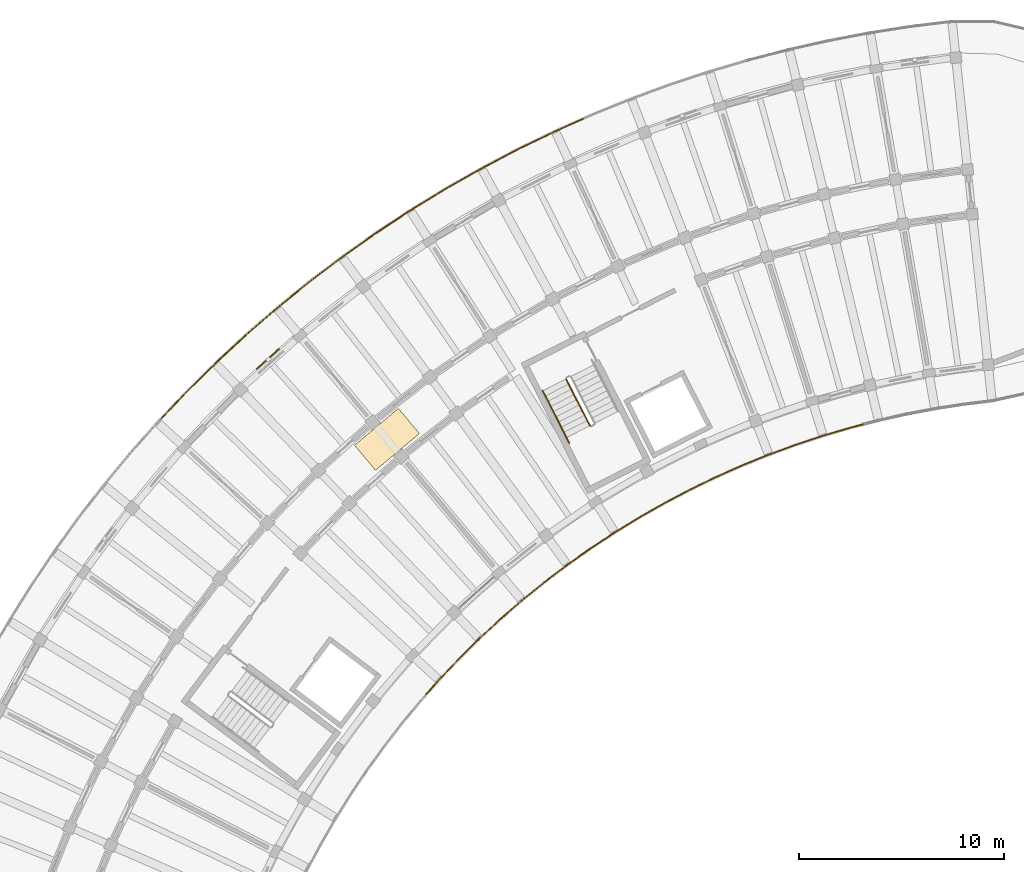
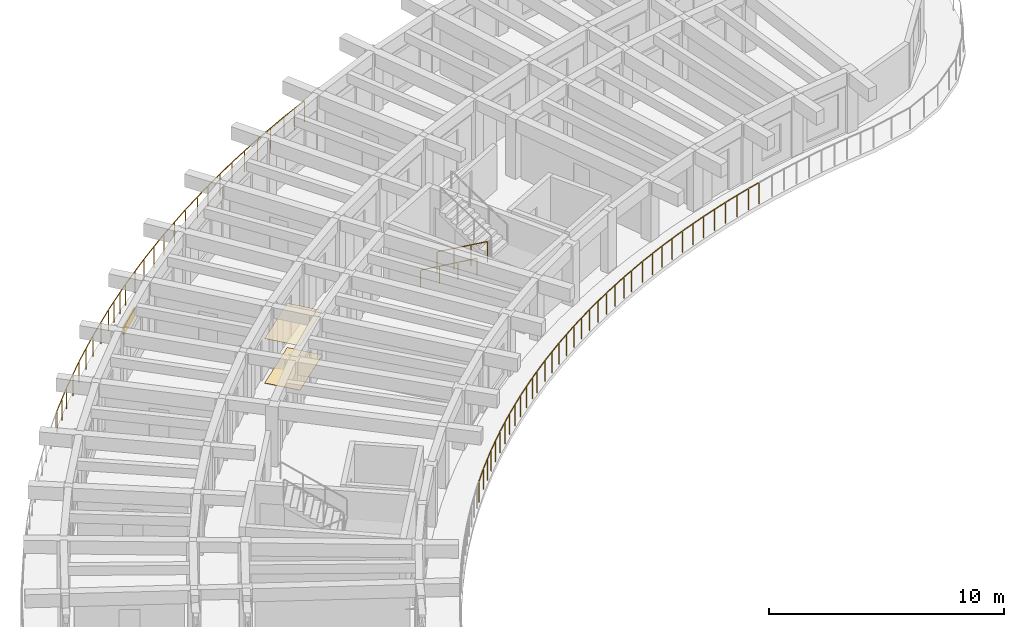
# One storey, part 58 of 69: 10 railings, 2 coverings, 1 shading device.
"""IFC4 building model written with IfcOpenShell, lengths in metres."""

from ifc_helpers import new_model, si_unit, direction, frame, origin, origin_2d, place, context, subcontext, project, spatial, rectangle, circle, extrude, material, layer, layer_set, type_object, element, save


model = new_model("IFC4")

# Units and contexts
model_context = context("Model", 3, precision=1e-05, world=origin(), true_north=direction((0.0, 1.0)))
body_context = subcontext(model_context, "Body", "Model", "MODEL_VIEW")
ifc_project = project(units=[si_unit("LENGTHUNIT", "METRE"), si_unit("AREAUNIT", "SQUARE_METRE"), si_unit("VOLUMEUNIT", "CUBIC_METRE"), si_unit("PLANEANGLEUNIT", "RADIAN"), si_unit("MASSUNIT", "GRAM", prefix="KILO")], contexts=[model_context])

# Site, building, storey
site_placement = place(None, origin())
site = spatial("IfcSite", under=ifc_project, at=site_placement, CompositionType="ELEMENT")
building_placement = place(site_placement, origin())
building = spatial("IfcBuilding", under=site, at=building_placement, Name="Tanwirah Colonnade Gardens", CompositionType="ELEMENT")
storey_placement = place(building_placement, frame((0.0, 0.0, 15.56005859375)))
storey = spatial("IfcBuildingStorey", under=building, at=storey_placement, Name="L04", CompositionType="ELEMENT", Elevation=15.56005859375)

# Railings
ifc_material_1 = material(Name="Precast concrete C40/50", Category="concrete")
railing_type_1 = type_object("IfcRailingType", Name="BAL-EXT112", PredefinedType="BALUSTRADE", material=ifc_material_1)
railing_1_placement = place(storey_placement, frame((54.236083984375, 101.494384765625, 0.0)))
element("IfcRailing", 1, at=railing_1_placement, inside=storey, type_object=railing_type_1, Name="Block A L04 Balcony Ribbon Balustrade 2", PredefinedType="BALUSTRADE", context=body_context, shape_type="SweptSolid", body=[
    extrude(circle(Radius=0.02392578125, at=origin_2d()), frame((-0.0302734375, -0.0078125, 1.09619140625), z_axis=(-0.968166647099, -0.250306499006, 0.0), x_axis=(0.250306499006, -0.968166647099, 0.0)), (0.0, 0.0, 1.0), 0.557861328125),
    extrude(circle(Radius=0.02392578125, at=origin_2d()), frame((-0.63330078125, -0.164794921875, 1.09619140625), z_axis=(-0.959362733044, -0.282175736812, 0.0), x_axis=(0.282175736812, -0.959362733044, 0.0)), (0.0, 0.0, 1.0), 1.341796875),
    extrude(circle(Radius=0.02392578125, at=origin_2d()), frame((-1.98291015625, -0.562744140625, 1.09619140625), z_axis=(-0.949531842797, -0.313670654533, 0.0), x_axis=(0.313670654533, -0.949531842797, 0.0)), (0.0, 0.0, 1.0), 1.341552734375),
    extrude(circle(Radius=0.02392578125, at=origin_2d()), frame((-3.318359375, -1.005126953125, 1.09619140625), z_axis=(-0.93868698515, -0.344770567059, 0.0), x_axis=(0.344770567059, -0.93868698515, 0.0)), (0.0, 0.0, 1.0), 1.341796875),
    extrude(circle(Radius=0.02392578125, at=origin_2d()), frame((-4.638671875, -1.4912109375, 1.09619140625), z_axis=(-0.92683738147, -0.375463005247, 0.0), x_axis=(0.375463005247, -0.92683738147, 0.0)), (0.0, 0.0, 1.0), 1.342041015625),
    extrude(circle(Radius=0.02392578125, at=origin_2d()), frame((-5.942138671875, -2.0205078125, 1.09619140625), z_axis=(-0.913997826773, -0.40571908096, 0.0), x_axis=(0.40571908096, -0.913997826773, 0.0)), (0.0, 0.0, 1.0), 1.342041015625),
    extrude(circle(Radius=0.02392578125, at=origin_2d()), frame((-7.2275390625, -2.592529296875, 1.09619140625), z_axis=(-0.900038195948, -0.435811020783, 0.0), x_axis=(0.435811020783, -0.900038195948, 0.0)), (0.0, 0.0, 1.0), 0.779541015625),
    extrude(circle(Radius=0.02099609375, at=origin_2d()), origin(), (0.0, 0.0, 1.0), 1.069091796875),
    extrude(circle(Radius=0.02099609375, at=origin_2d()), frame((-0.6005859375, -0.1552734375, 0.0)), (0.0, 0.0, 1.0), 1.069091796875),
    extrude(circle(Radius=0.02099609375, at=origin_2d()), frame((-1.27685546875, -0.35400390625, 0.0)), (0.0, 0.0, 1.0), 1.069091796875),
    extrude(circle(Radius=0.02099609375, at=origin_2d()), frame((-1.950439453125, -0.55224609375, 0.0)), (0.0, 0.0, 1.0), 1.069091796875),
    extrude(circle(Radius=0.02099609375, at=origin_2d()), frame((-2.61962890625, -0.773193359375, 0.0)), (0.0, 0.0, 1.0), 1.069091796875),
    extrude(circle(Radius=0.02099609375, at=origin_2d()), frame((-3.286376953125, -0.993408203125, 0.0)), (0.0, 0.0, 1.0), 1.069091796875),
    extrude(circle(Radius=0.02099609375, at=origin_2d()), frame((-3.9482421875, -1.236328125, 0.0)), (0.0, 0.0, 1.0), 1.069091796875),
    extrude(circle(Radius=0.02099609375, at=origin_2d()), frame((-4.607177734375, -1.478515625, 0.0)), (0.0, 0.0, 1.0), 1.069091796875),
    extrude(circle(Radius=0.02099609375, at=origin_2d()), frame((-5.260498046875, -1.7431640625, 0.0)), (0.0, 0.0, 1.0), 1.069091796875),
    extrude(circle(Radius=0.02099609375, at=origin_2d()), frame((-5.911376953125, -2.0068359375, 0.0)), (0.0, 0.0, 1.0), 1.069091796875),
    extrude(circle(Radius=0.02099609375, at=origin_2d()), frame((-6.555419921875, -2.292724609375, 0.0)), (0.0, 0.0, 1.0), 1.069091796875),
    extrude(circle(Radius=0.02099609375, at=origin_2d()), frame((-7.197265625, -2.57763671875, 0.0)), (0.0, 0.0, 1.0), 1.069091796875),
    extrude(circle(Radius=0.02099609375, at=origin_2d()), frame((-7.957275390625, -2.94580078125, 0.0)), (0.0, 0.0, 1.0), 1.069091796875),
])
railing_2_placement = place(storey_placement, frame((46.27880859375, 98.548583984375, 0.0)))
element("IfcRailing", 2, at=railing_2_placement, inside=storey, type_object=railing_type_1, Name="Block A L04 Balcony Ribbon Balustrade 3", PredefinedType="BALUSTRADE", context=body_context, shape_type="SweptSolid", body=[
    extrude(circle(Radius=0.02392578125, at=origin_2d()), frame((-0.028076171875, -0.013671875, 1.09619140625), z_axis=(-0.900252558568, -0.435368040619, 0.0), x_axis=(0.435368040619, -0.900252558568, 0.0)), (0.0, 0.0, 1.0), 0.5),
    extrude(circle(Radius=0.02392578125, at=origin_2d()), frame((-0.5361328125, -0.2607421875, 1.09619140625), z_axis=(-0.885204649416, -0.465201814972, 0.0), x_axis=(0.465201814972, -0.885204649416, 0.0)), (0.0, 0.0, 1.0), 1.341796875),
    extrude(circle(Radius=0.02392578125, at=origin_2d()), frame((-1.78125, -0.916015625, 1.09619140625), z_axis=(-0.869342839865, -0.494209496848, 0.0), x_axis=(0.494209496848, -0.869342839865, 0.0)), (0.0, 0.0, 1.0), 1.342041015625),
    extrude(circle(Radius=0.02392578125, at=origin_2d()), frame((-3.00390625, -1.6123046875, 1.09619140625), z_axis=(-0.852623736113, -0.522525372223, 0.0), x_axis=(0.522525372223, -0.852623736113, 0.0)), (0.0, 0.0, 1.0), 1.342041015625),
    extrude(circle(Radius=0.02392578125, at=origin_2d()), frame((-4.203125, -2.34814453125, 1.09619140625), z_axis=(-0.834927342507, -0.550360184547, 0.0), x_axis=(0.550360184547, -0.834927342507, 0.0)), (0.0, 0.0, 1.0), 1.341796875),
    extrude(circle(Radius=0.02392578125, at=origin_2d()), frame((-5.37744140625, -3.12353515625, 1.09619140625), z_axis=(-0.816321661452, -0.577597563226, 0.0), x_axis=(0.577597563226, -0.816321661452, 0.0)), (0.0, 0.0, 1.0), 1.341552734375),
    extrude(circle(Radius=0.02392578125, at=origin_2d()), frame((-6.525146484375, -3.936767578125, 1.09619140625), z_axis=(-0.796799330669, -0.604244012502, 0.0), x_axis=(0.604244012502, -0.796799330669, 0.0)), (0.0, 0.0, 1.0), 0.837646484375),
    extrude(circle(Radius=0.02099609375, at=origin_2d()), origin(), (0.0, 0.0, 1.0), 1.069091796875),
    extrude(circle(Radius=0.02099609375, at=origin_2d()), frame((-0.50634765625, -0.244873046875, 0.0)), (0.0, 0.0, 1.0), 1.069091796875),
    extrude(circle(Radius=0.02099609375, at=origin_2d()), frame((-1.130126953125, -0.57275390625, 0.0)), (0.0, 0.0, 1.0), 1.069091796875),
    extrude(circle(Radius=0.02099609375, at=origin_2d()), frame((-1.751708984375, -0.8994140625, 0.0)), (0.0, 0.0, 1.0), 1.069091796875),
    extrude(circle(Radius=0.02099609375, at=origin_2d()), frame((-2.36474609375, -1.24755859375, 0.0)), (0.0, 0.0, 1.0), 1.069091796875),
    extrude(circle(Radius=0.02099609375, at=origin_2d()), frame((-2.97509765625, -1.5947265625, 0.0)), (0.0, 0.0, 1.0), 1.069091796875),
    extrude(circle(Radius=0.02099609375, at=origin_2d()), frame((-3.576171875, -1.962890625, 0.0)), (0.0, 0.0, 1.0), 1.069091796875),
    extrude(circle(Radius=0.02099609375, at=origin_2d()), frame((-4.1748046875, -2.329833984375, 0.0)), (0.0, 0.0, 1.0), 1.069091796875),
    extrude(circle(Radius=0.02099609375, at=origin_2d()), frame((-4.76318359375, -2.717529296875, 0.0)), (0.0, 0.0, 1.0), 1.069091796875),
    extrude(circle(Radius=0.02099609375, at=origin_2d()), frame((-5.349609375, -3.10400390625, 0.0)), (0.0, 0.0, 1.0), 1.069091796875),
    extrude(circle(Radius=0.02099609375, at=origin_2d()), frame((-5.9248046875, -3.510986328125, 0.0)), (0.0, 0.0, 1.0), 1.069091796875),
    extrude(circle(Radius=0.02099609375, at=origin_2d()), frame((-6.498046875, -3.91650390625, 0.0)), (0.0, 0.0, 1.0), 1.069091796875),
    extrude(circle(Radius=0.02099609375, at=origin_2d()), frame((-7.217529296875, -4.4619140625, 0.0)), (0.0, 0.0, 1.0), 1.069091796875),
])
railing_3_placement = place(storey_placement, frame((39.061279296875, 94.086669921875, 0.0)))
element("IfcRailing", 3, at=railing_3_placement, inside=storey, type_object=railing_type_1, Name="Block A L04 Balcony Ribbon Balustrade 4", PredefinedType="BALUSTRADE", context=body_context, shape_type="SweptSolid", body=[
    extrude(circle(Radius=0.02392578125, at=origin_2d()), frame((-0.02490234375, -0.018798828125, 1.09619140625), z_axis=(-0.796852005176, -0.604174545845, 0.0), x_axis=(0.604174545845, -0.796852005176, 0.0)), (0.0, 0.0, 1.0), 0.44189453125),
    extrude(circle(Radius=0.02392578125, at=origin_2d()), frame((-0.427978515625, -0.325927734375, 1.09619140625), z_axis=(-0.776491375378, -0.630127879056, 0.0), x_axis=(0.630127879056, -0.776491375378, 0.0)), (0.0, 0.0, 1.0), 1.342041015625),
    extrude(circle(Radius=0.02392578125, at=origin_2d()), frame((-1.52001953125, -1.21337890625, 1.09619140625), z_axis=(-0.755402192857, -0.655261418845, 0.0), x_axis=(0.655261418845, -0.755402192857, 0.0)), (0.0, 0.0, 1.0), 1.341796875),
    extrude(circle(Radius=0.02392578125, at=origin_2d()), frame((-2.58203125, -2.135986328125, 1.09619140625), z_axis=(-0.73336899588, -0.679830799451, 0.0), x_axis=(0.679830799451, -0.73336899588, 0.0)), (0.0, 0.0, 1.0), 1.342041015625),
    extrude(circle(Radius=0.02392578125, at=origin_2d()), frame((-3.61328125, -3.09326171875, 1.09619140625), z_axis=(-0.710488556831, -0.703708754111, 0.0), x_axis=(0.703708754111, -0.710488556831, 0.0)), (0.0, 0.0, 1.0), 1.341796875),
    extrude(circle(Radius=0.02392578125, at=origin_2d()), frame((-4.612060546875, -4.084228515625, 1.09619140625), z_axis=(-0.687011382404, -0.726646654466, 0.0), x_axis=(0.726646654466, -0.687011382404, 0.0)), (0.0, 0.0, 1.0), 1.341796875),
    extrude(circle(Radius=0.02392578125, at=origin_2d()), frame((-5.577880859375, -5.107421875, 1.09619140625), z_axis=(-0.662590378068, -0.74898196967, 0.0), x_axis=(0.74898196967, -0.662590378068, 0.0)), (0.0, 0.0, 1.0), 0.8955078125),
    extrude(circle(Radius=0.02099609375, at=origin_2d()), origin(), (0.0, 0.0, 1.0), 1.069091796875),
    extrude(circle(Radius=0.02099609375, at=origin_2d()), frame((-0.40185546875, -0.3046875, 0.0)), (0.0, 0.0, 1.0), 1.069091796875),
    extrude(circle(Radius=0.02099609375, at=origin_2d()), frame((-0.94921875, -0.74853515625, 0.0)), (0.0, 0.0, 1.0), 1.069091796875),
    extrude(circle(Radius=0.02099609375, at=origin_2d()), frame((-1.494384765625, -1.191162109375, 0.0)), (0.0, 0.0, 1.0), 1.069091796875),
    extrude(circle(Radius=0.02099609375, at=origin_2d()), frame((-2.02685546875, -1.65283203125, 0.0)), (0.0, 0.0, 1.0), 1.069091796875),
    extrude(circle(Radius=0.02099609375, at=origin_2d()), frame((-2.55712890625, -2.113037109375, 0.0)), (0.0, 0.0, 1.0), 1.069091796875),
    extrude(circle(Radius=0.02099609375, at=origin_2d()), frame((-3.07421875, -2.59228515625, 0.0)), (0.0, 0.0, 1.0), 1.069091796875),
    extrude(circle(Radius=0.02099609375, at=origin_2d()), frame((-3.589111328125, -3.069580078125, 0.0)), (0.0, 0.0, 1.0), 1.069091796875),
    extrude(circle(Radius=0.02099609375, at=origin_2d()), frame((-4.08984375, -3.5654296875, 0.0)), (0.0, 0.0, 1.0), 1.069091796875),
    extrude(circle(Radius=0.02099609375, at=origin_2d()), frame((-4.5888671875, -4.0595703125, 0.0)), (0.0, 0.0, 1.0), 1.069091796875),
    extrude(circle(Radius=0.02099609375, at=origin_2d()), frame((-5.072998046875, -4.57177734375, 0.0)), (0.0, 0.0, 1.0), 1.069091796875),
    extrude(circle(Radius=0.02099609375, at=origin_2d()), frame((-5.555419921875, -5.08203125, 0.0)), (0.0, 0.0, 1.0), 1.069091796875),
    extrude(circle(Radius=0.02099609375, at=origin_2d()), frame((-6.19189453125, -5.801513671875, 0.0)), (0.0, 0.0, 1.0), 1.069091796875),
])
railing_4_placement = place(storey_placement, frame((19.91796875, 101.760986328125, 0.0)))
element("IfcRailing", 4, at=railing_4_placement, inside=storey, type_object=railing_type_1, Name="Block A L04 Balcony Ribbon Balustrade 14", PredefinedType="BALUSTRADE", context=body_context, shape_type="SweptSolid", body=[
    extrude(circle(Radius=0.02392578125, at=origin_2d()), frame((0.021484375, 0.022705078125, 1.09619140625), z_axis=(0.686974448696, 0.726681571831, 0.0), x_axis=(-0.726681571831, 0.686974448696, 0.0)), (0.0, 0.0, 1.0), 1.71435546875),
    extrude(circle(Radius=0.02392578125, at=origin_2d()), frame((1.242919921875, 1.313232421875, 1.09619140625), z_axis=(0.710480209462, 0.703717181801, 0.0), x_axis=(-0.703717181801, 0.710480209462, 0.0)), (0.0, 0.0, 1.0), 1.958984375),
    extrude(circle(Radius=0.02392578125, at=origin_2d()), frame((2.679931640625, 2.735107421875, 1.09619140625), z_axis=(0.733352454033, 0.679848643569, 0.0), x_axis=(-0.679848643569, 0.733352454033, 0.0)), (0.0, 0.0, 1.0), 1.958984375),
    extrude(circle(Radius=0.02392578125, at=origin_2d()), frame((4.1630859375, 4.108642578125, 1.09619140625), z_axis=(0.755338292497, 0.655335077565, 0.0), x_axis=(-0.655335077565, 0.755338292497, 0.0)), (0.0, 0.0, 1.0), 1.958984375),
    extrude(circle(Radius=0.02392578125, at=origin_2d()), frame((5.6904296875, 5.4326171875, 1.09619140625), z_axis=(0.776510659425, 0.630104115047, 0.0), x_axis=(-0.630104115047, 0.776510659425, 0.0)), (0.0, 0.0, 1.0), 0.59619140625),
    extrude(circle(Radius=0.02099609375, at=origin_2d()), origin(), (0.0, 0.0, 1.0), 1.069091796875),
    extrude(circle(Radius=0.02099609375, at=origin_2d()), frame((0.6103515625, 0.6455078125, 0.0)), (0.0, 0.0, 1.0), 1.069091796875),
    extrude(circle(Radius=0.02099609375, at=origin_2d()), frame((1.220703125, 1.291259765625, 0.0)), (0.0, 0.0, 1.0), 1.069091796875),
    extrude(circle(Radius=0.02099609375, at=origin_2d()), frame((1.93896484375, 2.00244140625, 0.0)), (0.0, 0.0, 1.0), 1.069091796875),
    extrude(circle(Radius=0.02099609375, at=origin_2d()), frame((2.656982421875, 2.7138671875, 0.0)), (0.0, 0.0, 1.0), 1.069091796875),
    extrude(circle(Radius=0.02099609375, at=origin_2d()), frame((3.398193359375, 3.40087890625, 0.0)), (0.0, 0.0, 1.0), 1.069091796875),
    extrude(circle(Radius=0.02099609375, at=origin_2d()), frame((4.139404296875, 4.088134765625, 0.0)), (0.0, 0.0, 1.0), 1.069091796875),
    extrude(circle(Radius=0.02099609375, at=origin_2d()), frame((4.90283203125, 4.75048828125, 0.0)), (0.0, 0.0, 1.0), 1.069091796875),
    extrude(circle(Radius=0.02099609375, at=origin_2d()), frame((5.666259765625, 5.412841796875, 0.0)), (0.0, 0.0, 1.0), 1.069091796875),
    extrude(circle(Radius=0.02099609375, at=origin_2d()), frame((6.177734375, 5.827880859375, 0.0)), (0.0, 0.0, 1.0), 1.069091796875),
])
railing_5_placement = place(storey_placement, frame((26.095703125, 107.5888671875, 0.0)))
element("IfcRailing", 5, at=railing_5_placement, inside=storey, type_object=railing_type_1, Name="Block A L04 Balcony Ribbon Balustrade 15", PredefinedType="BALUSTRADE", context=body_context, shape_type="SweptSolid", body=[
    extrude(circle(Radius=0.02392578125, at=origin_2d()), frame((0.024169921875, 0.019775390625, 1.09619140625), z_axis=(0.776568601174, 0.630032703652, 0.0), x_axis=(-0.630032703652, 0.776568601174, 0.0)), (0.0, 0.0, 1.0), 1.30029296875),
    extrude(circle(Radius=0.02392578125, at=origin_2d()), frame((1.083251953125, 0.87744140625, 1.09619140625), z_axis=(0.796887753746, 0.604127393792, 0.0), x_axis=(-0.604127393792, 0.796887753746, 0.0)), (0.0, 0.0, 1.0), 1.958984375),
    extrude(circle(Radius=0.02392578125, at=origin_2d()), frame((2.69482421875, 2.097900390625, 1.09619140625), z_axis=(0.816344803849, 0.577564854565, 0.0), x_axis=(-0.577564854565, 0.816344803849, 0.0)), (0.0, 0.0, 1.0), 1.958740234375),
    extrude(circle(Radius=0.02392578125, at=origin_2d()), frame((4.345458984375, 3.264404296875, 1.09619140625), z_axis=(0.834955682369, 0.550317188973, 0.0), x_axis=(-0.550317188973, 0.834955682369, 0.0)), (0.0, 0.0, 1.0), 1.959228515625),
    extrude(circle(Radius=0.02392578125, at=origin_2d()), frame((6.033935546875, 4.376220703125, 1.09619140625), z_axis=(0.852594710096, 0.522572732082, 0.0), x_axis=(-0.522572732082, 0.852594710096, 0.0)), (0.0, 0.0, 1.0), 1.01025390625),
    extrude(circle(Radius=0.02099609375, at=origin_2d()), origin(), (0.0, 0.0, 1.0), 1.069091796875),
    extrude(circle(Radius=0.02099609375, at=origin_2d()), frame((0.529296875, 0.42919921875, 0.0)), (0.0, 0.0, 1.0), 1.069091796875),
    extrude(circle(Radius=0.02099609375, at=origin_2d()), frame((1.058349609375, 0.858642578125, 0.0)), (0.0, 0.0, 1.0), 1.069091796875),
    extrude(circle(Radius=0.02099609375, at=origin_2d()), frame((1.86376953125, 1.46923828125, 0.0)), (0.0, 0.0, 1.0), 1.069091796875),
    extrude(circle(Radius=0.02099609375, at=origin_2d()), frame((2.669189453125, 2.079833984375, 0.0)), (0.0, 0.0, 1.0), 1.069091796875),
    extrude(circle(Radius=0.02099609375, at=origin_2d()), frame((3.494140625, 2.66357421875, 0.0)), (0.0, 0.0, 1.0), 1.069091796875),
    extrude(circle(Radius=0.02099609375, at=origin_2d()), frame((4.3193359375, 3.247314453125, 0.0)), (0.0, 0.0, 1.0), 1.069091796875),
    extrude(circle(Radius=0.02099609375, at=origin_2d()), frame((5.163330078125, 3.8037109375, 0.0)), (0.0, 0.0, 1.0), 1.069091796875),
    extrude(circle(Radius=0.02099609375, at=origin_2d()), frame((6.00732421875, 4.35986328125, 0.0)), (0.0, 0.0, 1.0), 1.069091796875),
    extrude(circle(Radius=0.02099609375, at=origin_2d()), frame((6.921875, 4.92041015625, 0.0)), (0.0, 0.0, 1.0), 1.069091796875),
])
railing_6_placement = place(storey_placement, frame((33.017578125, 112.50927734375, 0.0)))
element("IfcRailing", 6, at=railing_6_placement, inside=storey, type_object=railing_type_1, Name="Block A L04 Balcony Ribbon Balustrade 16", PredefinedType="BALUSTRADE", context=body_context, shape_type="SweptSolid", body=[
    extrude(circle(Radius=0.02392578125, at=origin_2d()), frame((0.026611328125, 0.016357421875, 1.09619140625), z_axis=(0.852734357798, 0.522344823877, 0.0), x_axis=(-0.522344823877, 0.852734357798, 0.0)), (0.0, 0.0, 1.0), 0.88623046875),
    extrude(circle(Radius=0.02392578125, at=origin_2d()), frame((0.836181640625, 0.510986328125, 1.09619140625), z_axis=(0.869392881113, 0.494121461049, 0.0), x_axis=(-0.494121461049, 0.869392881113, 0.0)), (0.0, 0.0, 1.0), 1.958740234375),
    extrude(circle(Radius=0.02392578125, at=origin_2d()), frame((2.593994140625, 1.509033203125, 1.09619140625), z_axis=(0.885211446817, 0.465188880374, 0.0), x_axis=(-0.465188880374, 0.885211446817, 0.0)), (0.0, 0.0, 1.0), 1.958984375),
    extrude(circle(Radius=0.02392578125, at=origin_2d()), frame((4.384033203125, 2.448486328125, 1.09619140625), z_axis=(0.900055350621, 0.435775591122, 0.0), x_axis=(-0.435775591122, 0.900055350621, 0.0)), (0.0, 0.0, 1.0), 1.958740234375),
    extrude(circle(Radius=0.02392578125, at=origin_2d()), frame((6.203857421875, 3.328369140625, 1.09619140625), z_axis=(0.913919852198, 0.405894695406, 0.0), x_axis=(-0.405894695406, 0.913919852198, 0.0)), (0.0, 0.0, 1.0), 1.42431640625),
    extrude(circle(Radius=0.02099609375, at=origin_2d()), origin(), (0.0, 0.0, 1.0), 1.069091796875),
    extrude(circle(Radius=0.02099609375, at=origin_2d()), frame((0.80908203125, 0.49560546875, 0.0)), (0.0, 0.0, 1.0), 1.069091796875),
    extrude(circle(Radius=0.02099609375, at=origin_2d()), frame((1.687744140625, 0.9951171875, 0.0)), (0.0, 0.0, 1.0), 1.069091796875),
    extrude(circle(Radius=0.02099609375, at=origin_2d()), frame((2.56640625, 1.494384765625, 0.0)), (0.0, 0.0, 1.0), 1.069091796875),
    extrude(circle(Radius=0.02099609375, at=origin_2d()), frame((3.461181640625, 1.964599609375, 0.0)), (0.0, 0.0, 1.0), 1.069091796875),
    extrude(circle(Radius=0.02099609375, at=origin_2d()), frame((4.35595703125, 2.434814453125, 0.0)), (0.0, 0.0, 1.0), 1.069091796875),
    extrude(circle(Radius=0.02099609375, at=origin_2d()), frame((5.265625, 2.875244140625, 0.0)), (0.0, 0.0, 1.0), 1.069091796875),
    extrude(circle(Radius=0.02099609375, at=origin_2d()), frame((6.17529296875, 3.315673828125, 0.0)), (0.0, 0.0, 1.0), 1.069091796875),
    extrude(circle(Radius=0.02099609375, at=origin_2d()), frame((6.854736328125, 3.617431640625, 0.0)), (0.0, 0.0, 1.0), 1.069091796875),
    extrude(circle(Radius=0.02099609375, at=origin_2d()), frame((7.5341796875, 3.919189453125, 0.0)), (0.0, 0.0, 1.0), 1.069091796875),
])

# Coverings
ifc_material_2 = material(Name="Acoustic perforated gypsum ceiling board")
ifc_layer_1 = layer(ifc_material_2, 0.014892578125)
ifc_layer_set_1 = layer_set([ifc_layer_1], Name="Acoustic perforated gypsum ceiling board")
covering_type_1 = type_object("IfcCoveringType", Name="COV-CEIL15", PredefinedType="CEILING", material=ifc_layer_set_1)
covering_1_placement = place(storey_placement, frame((30.96435546875, 100.761962890625, 2.3125), z_axis=(0.0, 0.0, 1.0), x_axis=(-0.766044443119, -0.642787609687, 0.0)))
element("IfcCovering", 7, at=covering_1_placement, inside=storey, type_object=covering_type_1, Name="Block A L04 Corridor Acoustic Ceiling", PredefinedType="CEILING", context=body_context, shape_type="SweptSolid", body=[
    extrude(rectangle(XDim=2.800048828125, YDim=1.60009765625, at=origin_2d()), origin(), (0.0, 0.0, 1.0), 0.014892578125),
])
ifc_material_3 = material(Name="Honed Abu Dhabi limestone terrazzo flooring", Category="masonry")
ifc_layer_2 = layer(ifc_material_3, 0.02001953125)
ifc_layer_set_2 = layer_set([ifc_layer_2], Name="Honed Abu Dhabi limestone terrazzo flooring")
covering_type_2 = type_object("IfcCoveringType", Name="COV-FLR20", PredefinedType="FLOORING", material=ifc_layer_set_2)
covering_2_placement = place(storey_placement, frame((30.96435546875, 100.761962890625, 0.0), z_axis=(0.0, 0.0, 1.0), x_axis=(-0.766044443119, -0.642787609687, 0.0)))
element("IfcCovering", 8, at=covering_2_placement, inside=storey, type_object=covering_type_2, Name="Block A L04 Corridor Terrazzo Flooring", PredefinedType="FLOORING", context=body_context, shape_type="SweptSolid", body=[
    extrude(rectangle(XDim=2.800048828125, YDim=1.60009765625, at=origin_2d()), origin(), (0.0, 0.0, 1.0), 0.02001953125),
])

# Railings
ifc_material_4 = material(Name="Powder-coated galvanized steel", Category="steel")
railing_type_2 = type_object("IfcRailingType", Name="GRD-ST110", PredefinedType="GUARDRAIL", material=ifc_material_4)
railing_7_placement = place(storey_placement, frame((39.718994140625, 103.715576171875, 0.16796875)))
element("IfcRailing", 9, at=railing_7_placement, inside=storey, type_object=railing_type_2, Name="L04 ST-A1 stair guard 1", PredefinedType="GUARDRAIL", context=body_context, shape_type="SweptSolid", body=[
    extrude(circle(Radius=0.02392578125, at=origin_2d()), frame((0.01220703125, -0.02392578125, 1.092041015625), z_axis=(0.391052831089, -0.767591854021, 0.507819287678), x_axis=(0.891032232724, 0.453940040365, 0.0)), (0.0, 0.0, 1.0), 2.914794921875),
    extrude(circle(Radius=0.02099609375, at=origin_2d()), origin(), (0.0, 0.0, 1.0), 1.049072265625),
    extrude(circle(Radius=0.02099609375, at=origin_2d()), frame((0.38818359375, -0.76171875, 0.50390625)), (0.0, 0.0, 1.0), 1.049072265625),
    extrude(circle(Radius=0.02099609375, at=origin_2d()), frame((0.776123046875, -1.523681640625, 1.008056640625)), (0.0, 0.0, 1.0), 1.049072265625),
    extrude(circle(Radius=0.02099609375, at=origin_2d()), frame((1.164306640625, -2.285400390625, 1.511962890625)), (0.0, 0.0, 1.0), 1.049072265625),
])
ifc_material_5 = material(Name="Brushed bronze stainless steel", Category="steel")
railing_type_3 = type_object("IfcRailingType", Name="HR-ST090", PredefinedType="HANDRAIL", material=ifc_material_5)
railing_8_placement = place(storey_placement, frame((38.578369140625, 103.134521484375, 0.16796875)))
element("IfcRailing", 10, at=railing_8_placement, inside=storey, type_object=railing_type_3, Name="L04 ST-A1 stair handrail 1", PredefinedType="HANDRAIL", context=body_context, shape_type="SweptSolid", body=[
    extrude(circle(Radius=0.02392578125, at=origin_2d()), frame((0.01220703125, -0.02392578125, 0.891845703125), z_axis=(0.390051618152, -0.765534245474, 0.511680617361), x_axis=(0.891010084603, 0.453983511965, 0.0)), (0.0, 0.0, 1.0), 1.04345703125),
    extrude(circle(Radius=0.02099609375, at=origin_2d()), origin(), (0.0, 0.0, 1.0), 0.848876953125),
    extrude(circle(Radius=0.02099609375, at=origin_2d()), frame((0.431396484375, -0.8466796875, 0.56591796875)), (0.0, 0.0, 1.0), 0.848876953125),
])
railing_9_placement = place(storey_placement, frame((39.009765625, 102.287841796875, 0.73388671875)))
element("IfcRailing", 11, at=railing_9_placement, inside=storey, type_object=railing_type_3, Name="L04 ST-A1 stair handrail 2", PredefinedType="HANDRAIL", context=body_context, shape_type="SweptSolid", body=[
    extrude(circle(Radius=0.02392578125, at=origin_2d()), frame((0.01220703125, -0.02392578125, 0.891845703125), z_axis=(0.389886268615, -0.765422249879, 0.511974097915), x_axis=(0.891061070925, 0.453883429839, 0.0)), (0.0, 0.0, 1.0), 1.043212890625),
    extrude(circle(Radius=0.02099609375, at=origin_2d()), origin(), (0.0, 0.0, 1.0), 0.848876953125),
    extrude(circle(Radius=0.02099609375, at=origin_2d()), frame((0.43115234375, -0.846435546875, 0.566162109375)), (0.0, 0.0, 1.0), 0.848876953125),
])
railing_10_placement = place(storey_placement, frame((39.44091796875, 101.44140625, 1.300048828125)))
element("IfcRailing", 12, at=railing_10_placement, inside=storey, type_object=railing_type_3, Name="L04 ST-A1 stair handrail 3", PredefinedType="HANDRAIL", context=body_context, shape_type="SweptSolid", body=[
    extrude(circle(Radius=0.02392578125, at=origin_2d()), frame((0.01220703125, -0.02392578125, 0.891845703125), z_axis=(0.390117538533, -0.765442844423, 0.51176709356), x_axis=(0.890957114254, 0.454087459154, 0.0)), (0.0, 0.0, 1.0), 1.043212890625),
    extrude(circle(Radius=0.02099609375, at=origin_2d()), origin(), (0.0, 0.0, 1.0), 0.848876953125),
    extrude(circle(Radius=0.02099609375, at=origin_2d()), frame((0.431396484375, -0.846435546875, 0.56591796875)), (0.0, 0.0, 1.0), 0.848876953125),
])

# Shading device
ifc_material_6 = material(Name="Perforated architectural bronze aluminium", Category="aluminium")
ifc_layer_3 = layer(ifc_material_6, 0.050048828125)
ifc_layer_set_3 = layer_set([ifc_layer_3], Name="Perforated architectural bronze aluminium")
shading_device_type = type_object("IfcShadingDeviceType", Name="SHD-OVH1", PredefinedType="SHUTTER", material=ifc_layer_set_3)
shading_device_placement = place(storey_placement, frame((25.147216796875, 104.69775390625, 1.919921875), z_axis=(0.0, 0.0, 1.0), x_axis=(-0.744443246346, -0.667685744172, 0.0)))
element("IfcShadingDevice", 13, at=shading_device_placement, inside=storey, type_object=shading_device_type, Name="Solar shading louver hood A-L04-09", PredefinedType="SHUTTER", context=body_context, shape_type="SweptSolid", body=[
    extrude(rectangle(XDim=1.5, YDim=0.06005859375, at=origin_2d()), origin(), (0.0, 0.0, 1.0), 0.449951171875),
])

save(model, "model.ifc")
